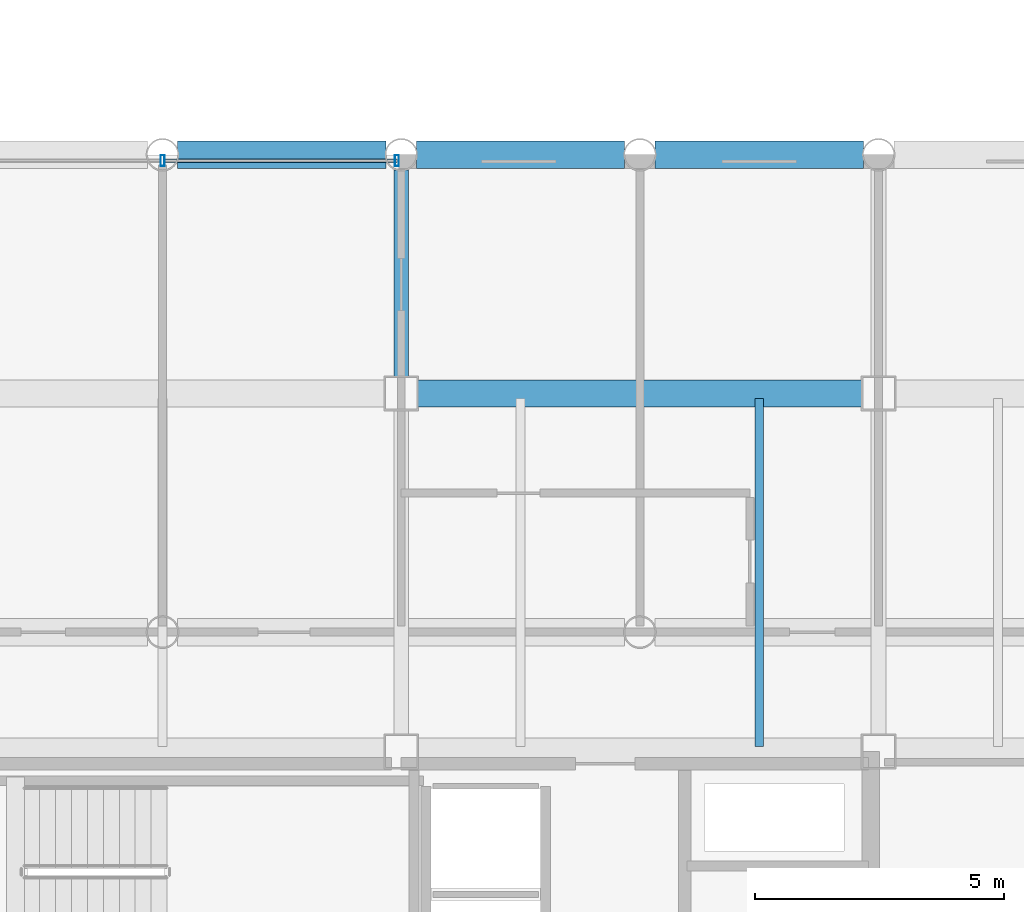
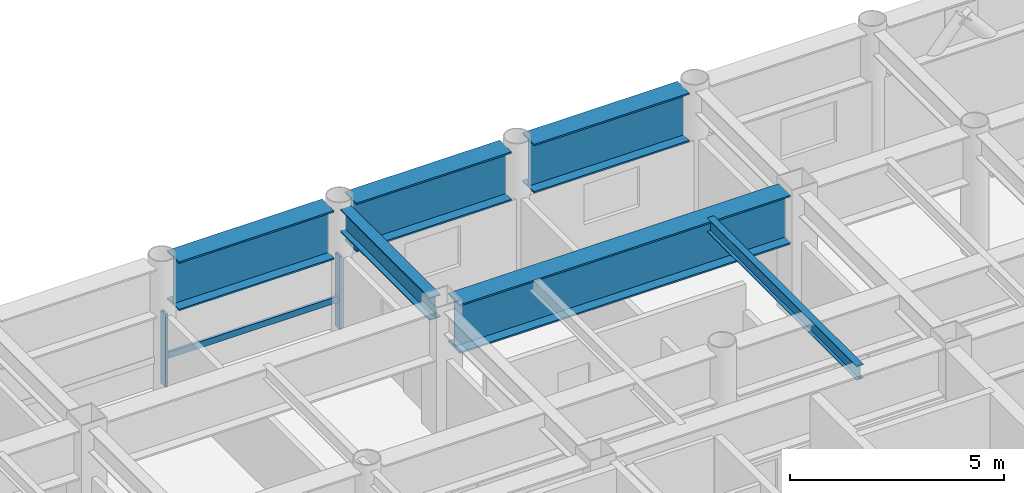
# One storey, part 13 of 22: 6 beams, 3 members, 1 element without a shape of its own.
"""IFC4 building model written with IfcOpenShell, lengths in metres."""

from ifc_helpers import new_model, si_unit, direction, frame, origin, origin_2d, place, context, subcontext, project, spatial, hollow_rectangle, i_section, extrude, material, layer, layer_set, material_profile, profile_set, type_object, element, aggregate, save


model = new_model("IFC4")

# Units and contexts
model_context = context("Model", 3, precision=1e-05, world=origin(), true_north=direction((0.0, 1.0)))
body_context = subcontext(model_context, "Body", "Model", "MODEL_VIEW")
ifc_project = project(units=[si_unit("LENGTHUNIT", "METRE"), si_unit("AREAUNIT", "SQUARE_METRE"), si_unit("VOLUMEUNIT", "CUBIC_METRE"), si_unit("PLANEANGLEUNIT", "RADIAN"), si_unit("MASSUNIT", "GRAM", prefix="KILO")], contexts=[model_context])

# Site, building, storey
site_placement = place(None, origin())
site = spatial("IfcSite", under=ifc_project, at=site_placement, CompositionType="ELEMENT")
building_placement = place(site_placement, origin())
building = spatial("IfcBuilding", under=site, at=building_placement, Name="Kallvorn Hotel Tower", CompositionType="ELEMENT")
storey_placement = place(building_placement, frame((0.0, 0.0, 154.39990234375)))
storey = spatial("IfcBuildingStorey", under=building, at=storey_placement, Name="L38", CompositionType="ELEMENT", Elevation=154.39990234375)

# Beams
ifc_material_1 = material(Name="Structural steel S355JR", Category="steel")
ifc_material_profile_1 = material_profile(ifc_material_1, i_section(OverallWidth=0.300048828125, OverallDepth=0.64990234375, WebThickness=0.01611328125, FlangeThickness=0.031005859375, at=origin_2d()), Name="HE 650 B")
ifc_profile_set_1 = profile_set([ifc_material_profile_1], Name="Structural steel S355JR")
beam_type_1 = type_object("IfcBeamType", Name="BM_HE650B", PredefinedType="BEAM", material=ifc_profile_set_1)
beam_1_placement = place(storey_placement, frame((4.800048828125, 14.72509765625, 3.195068359375), z_axis=(0.0, 1.0, 0.0), x_axis=(-1.0, 0.0, 0.0)))
element("IfcBeam", 1, at=beam_1_placement, inside=storey, type_object=beam_type_1, Name="L39 Primary Y-Girder 118", PredefinedType="BEAM", context=body_context, shape_type="SweptSolid", body=[
    extrude(i_section(OverallWidth=0.300048828125, OverallDepth=0.64990234375, WebThickness=0.01611328125, FlangeThickness=0.031005859375, at=origin_2d()), origin(), (0.0, 0.0, 1.0), 4.169921875),
])
ifc_material_2 = material(Name="Structural steel S355JR", Category="steel")
ifc_material_profile_2 = material_profile(ifc_material_2, i_section(OverallWidth=0.179931640625, OverallDepth=0.39990234375, WebThickness=0.008544921875, FlangeThickness=0.013427734375, at=origin_2d()), Name="IPE 400")
ifc_profile_set_2 = profile_set([ifc_material_profile_2], Name="Structural steel S355JR")
beam_type_2 = type_object("IfcBeamType", Name="BM_IPE400", PredefinedType="JOIST", material=ifc_profile_set_2)
beam_2_placement = place(storey_placement, frame((12.0, 7.300048828125, 3.320068359375), z_axis=(0.0, 1.0, 0.0), x_axis=(-1.0, 0.0, 0.0)))
element("IfcBeam", 2, at=beam_2_placement, inside=storey, type_object=beam_type_2, Name="L39 Secondary Composite Joist 205", PredefinedType="JOIST", context=body_context, shape_type="SweptSolid", body=[
    extrude(i_section(OverallWidth=0.179931640625, OverallDepth=0.39990234375, WebThickness=0.008544921875, FlangeThickness=0.013427734375, at=origin_2d()), origin(), (0.0, 0.0, 1.0), 7.0),
])
ifc_material_3 = material(Name="Structural steel S355JR", Category="steel")
ifc_material_profile_3 = material_profile(ifc_material_3, i_section(OverallWidth=0.550048828125, OverallDepth=1.39990234375, WebThickness=0.02490234375, FlangeThickness=0.044921875, at=origin_2d()), Name="PG 1400x550x25x45")
ifc_profile_set_3 = profile_set([ifc_material_profile_3], Name="Structural steel S355JR")
beam_type_3 = type_object("IfcBeamType", Name="BM_PG_1400", PredefinedType="BEAM", material=ifc_profile_set_3)
beam_3_placement = place(storey_placement, frame((5.125, 14.39990234375, 2.820068359375), z_axis=(1.0, 0.0, 0.0), x_axis=(0.0, 1.0, 0.0)))
element("IfcBeam", 3, at=beam_3_placement, inside=storey, type_object=beam_type_3, Name="L39 Primary X-Girder 57", PredefinedType="BEAM", context=body_context, shape_type="SweptSolid", body=[
    extrude(i_section(OverallWidth=0.550048828125, OverallDepth=1.39990234375, WebThickness=0.02490234375, FlangeThickness=0.044921875, at=origin_2d()), origin(), (0.0, 0.0, 1.0), 8.949951171875),
])
beam_4_placement = place(storey_placement, frame((0.304931640625, 19.199951171875, 2.820068359375), z_axis=(1.0, 0.0, 0.0), x_axis=(0.0, 1.0, 0.0)))
element("IfcBeam", 4, at=beam_4_placement, inside=storey, type_object=beam_type_3, Name="L39 Primary X-Girder 67", PredefinedType="BEAM", context=body_context, shape_type="SweptSolid", body=[
    extrude(i_section(OverallWidth=0.550048828125, OverallDepth=1.39990234375, WebThickness=0.02490234375, FlangeThickness=0.044921875, at=origin_2d()), origin(), (0.0, 0.0, 1.0), 4.190185546875),
])
for number, where, z_axis, x_axis, name in (
    (5, (5.10498046875, 19.199951171875, 2.820068359375), (1.0, 0.0, 0.0), (0.0, 1.0, 0.0), "L39 Primary X-Girder 68"),
    (6, (9.905029296875, 19.199951171875, 2.820068359375), (1.0, 0.0, 0.0), (0.0, 1.0, 0.0), "L39 Primary X-Girder 69"),
):
    element("IfcBeam", number, at=place(storey_placement, frame(where, z_axis=z_axis, x_axis=x_axis)), inside=storey, type_object=beam_type_3, Name=name, PredefinedType="BEAM", context=body_context, shape_type="SweptSolid", body=[
        extrude(i_section(OverallWidth=0.550048828125, OverallDepth=1.39990234375, WebThickness=0.02490234375, FlangeThickness=0.044921875, at=origin_2d()), origin(), (0.0, 0.0, 1.0), 4.18994140625),
    ])

# Curtain wall, members
ifc_material_4 = material(Name="Thermally broken black-anodised aluminium AA 6063-T6", Category="aluminium")
ifc_layer = layer(ifc_material_4, 0.2099609375)
ifc_layer_set = layer_set([ifc_layer], Name="CW_SYS_4_HOTEL_MID")
curtain_wall_type = type_object("IfcCurtainWallType", Name="CW_SYS_4_HOTEL_MID", PredefinedType="USERDEFINED", material=ifc_layer_set)
curtain_wall_placement = place(storey_placement, origin())
curtain_wall = element("IfcCurtainWall", 7, at=curtain_wall_placement, inside=storey, type_object=curtain_wall_type, Name="L38 Dark-Glass Curtain Wall CW-L38-NC", ObjectType="UNITISED CURTAIN WALL", PredefinedType="USERDEFINED")
ifc_material_5 = material(Name="Thermally broken black-anodised aluminium AA 6063-T6", Category="aluminium")
ifc_material_profile_4 = material_profile(ifc_material_5, hollow_rectangle(XDim=0.080078125, YDim=0.219970703125, WallThickness=0.0048828125, at=origin_2d()), Name="MUL 220x80")
ifc_profile_set_4 = profile_set([ifc_material_profile_4], Name="Thermally broken black-anodised aluminium AA 6063-T6")
member_type_1 = type_object("IfcMemberType", Name="CW_MULLION_220x80", PredefinedType="MULLION", material=ifc_profile_set_4)
member_1_placement = place(storey_placement, frame((0.0, 19.080078125, 0.02001953125), z_axis=(0.0, 0.0, 1.0), x_axis=(1.0, 0.0, 0.0)))
member_1 = element("IfcMember", 8, at=member_1_placement, type_object=member_type_1, Name="CW-L38-NC Mullion 01", PredefinedType="MULLION", context=body_context, shape_type="SweptSolid", body=[
    extrude(hollow_rectangle(XDim=0.080078125, YDim=0.219970703125, WallThickness=0.0048828125, at=origin_2d()), origin(), (0.0, 0.0, 1.0), 2.080078125),
])
member_2_placement = place(storey_placement, frame((4.7099609375, 19.080078125, 0.02001953125), z_axis=(0.0, 0.0, 1.0), x_axis=(1.0, 0.0, 0.0)))
member_2 = element("IfcMember", 9, at=member_2_placement, type_object=member_type_1, Name="CW-L38-NC Mullion 02", PredefinedType="MULLION", context=body_context, shape_type="SweptSolid", body=[
    extrude(hollow_rectangle(XDim=0.080078125, YDim=0.219970703125, WallThickness=0.0048828125, at=origin_2d()), origin(), (0.0, 0.0, 1.0), 2.080078125),
])
ifc_material_6 = material(Name="Thermally broken black-anodised aluminium AA 6063-T6", Category="aluminium")
ifc_material_profile_5 = material_profile(ifc_material_6, hollow_rectangle(XDim=0.070068359375, YDim=0.179931640625, WallThickness=0.00390625, at=origin_2d()), Name="TRN 180x70")
ifc_profile_set_5 = profile_set([ifc_material_profile_5], Name="Thermally broken black-anodised aluminium AA 6063-T6")
member_type_2 = type_object("IfcMemberType", Name="CW_TRANSOM_180x70", PredefinedType="USERDEFINED", material=ifc_profile_set_5)
member_3_placement = place(storey_placement, frame((0.0400390625, 19.080078125, 0.85009765625), z_axis=(1.0, 0.0, 0.0), x_axis=(0.0, 1.0, 0.0)))
member_3 = element("IfcMember", 10, at=member_3_placement, type_object=member_type_2, Name="CW-L38-NC Transom 01M", ObjectType="TRANSOM", PredefinedType="USERDEFINED", context=body_context, shape_type="SweptSolid", body=[
    extrude(hollow_rectangle(XDim=0.070068359375, YDim=0.179931640625, WallThickness=0.00390625, at=origin_2d()), origin(), (0.0, 0.0, 1.0), 4.669921875),
])
aggregate(curtain_wall, [member_1, member_2, member_3])

save(model, "model.ifc")
